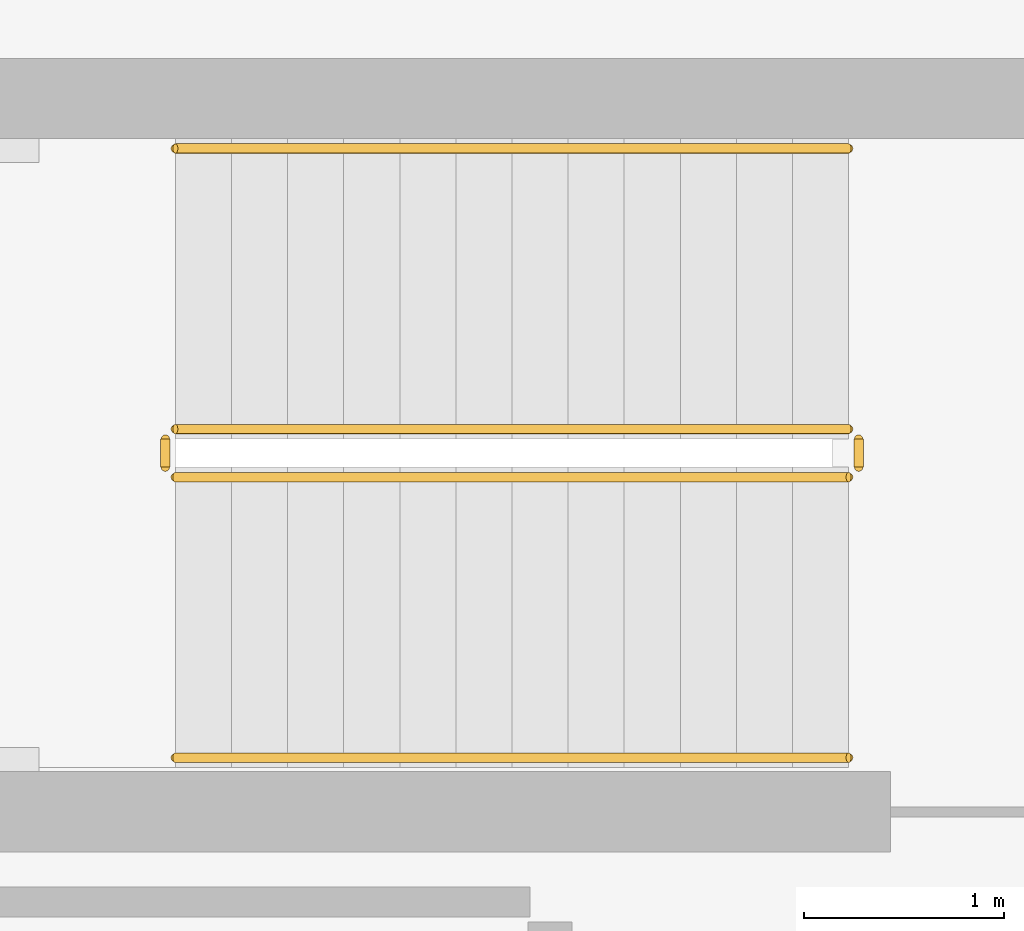
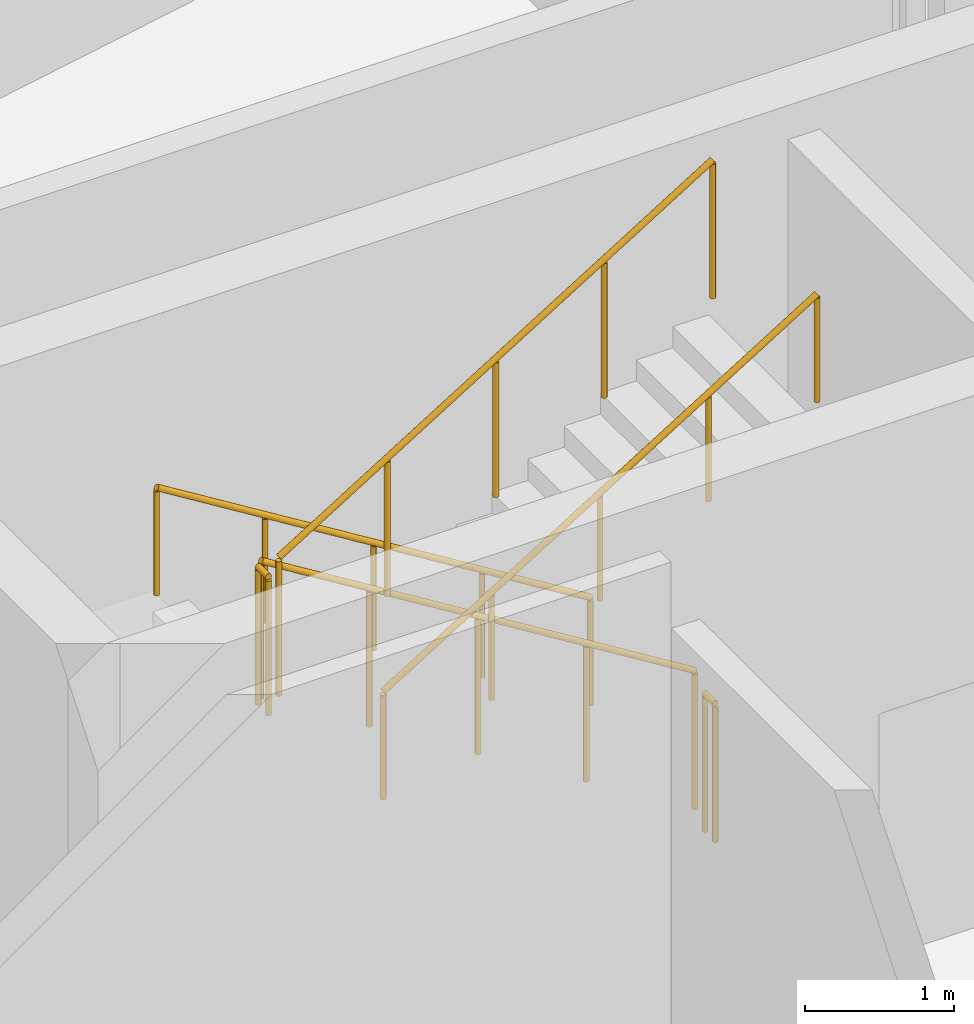
# One storey, part 22 of 24: 6 railings.
"""IFC4 building model written with IfcOpenShell, lengths in metres."""

from ifc_helpers import new_model, si_unit, derived_unit, direction, frame, origin, origin_2d, place, context, subcontext, project, spatial, circle, extrude, material, type_object, element, save


model = new_model("IFC4")

# Units and contexts
model_context = context("Model", 3, precision=1e-05, world=origin(), true_north=direction((0.0, 1.0)))
body_context = subcontext(model_context, "Body", "Model", "MODEL_VIEW")
ifc_project = project(units=[si_unit("LENGTHUNIT", "METRE"), si_unit("AREAUNIT", "SQUARE_METRE"), si_unit("VOLUMEUNIT", "CUBIC_METRE"), si_unit("PLANEANGLEUNIT", "RADIAN"), si_unit("MASSUNIT", "GRAM", prefix="KILO"), derived_unit("THERMALTRANSMITTANCEUNIT", [(si_unit("POWERUNIT", "WATT"), 1), (si_unit("LENGTHUNIT", "METRE"), -2), (si_unit("THERMODYNAMICTEMPERATUREUNIT", "KELVIN"), -1)])], contexts=[model_context])

# Site, building, storey
site_placement = place(None, origin())
site = spatial("IfcSite", under=ifc_project, at=site_placement, CompositionType="ELEMENT")
building_placement = place(site_placement, origin())
building = spatial("IfcBuilding", under=site, at=building_placement, Name="Kivonza Crest Hotel", CompositionType="ELEMENT")
storey_placement = place(building_placement, frame((0.0, 0.0, 119.5)))
storey = spatial("IfcBuildingStorey", under=building, at=storey_placement, Name="L32", CompositionType="ELEMENT", Elevation=119.5)

# Railings
ifc_material_1 = material(Name="Brushed stainless steel handrail", Category="steel")
railing_type_1 = type_object("IfcRailingType", Name="RL-HAND-900", PredefinedType="HANDRAIL", material=ifc_material_1)
railing_1_placement = place(storey_placement, frame((12.239990234375, 36.110107421875, 0.173095703125)))
element("IfcRailing", 1, at=railing_1_placement, inside=storey, type_object=railing_type_1, Name="L32 ST-T1-N stair handrail 1", PredefinedType="HANDRAIL", context=body_context, shape_type="SweptSolid", body=[
    extrude(circle(Radius=0.02392578125, at=origin_2d()), frame((0.0, 0.0, 0.8759765625), z_axis=(-0.850623216509, 0.0, 0.525775754039), x_axis=(0.0, -1.0, 0.0)), (0.0, 0.0, 1.0), 3.9501953125),
    extrude(circle(Radius=0.02099609375, at=origin_2d()), origin(), (0.0, 0.0, 1.0), 0.851806640625),
    extrude(circle(Radius=0.02099609375, at=origin_2d()), frame((-0.840087890625, 0.0, 0.519287109375)), (0.0, 0.0, 1.0), 0.851806640625),
    extrude(circle(Radius=0.02099609375, at=origin_2d()), frame((-1.68017578125, 0.0, 1.03857421875)), (0.0, 0.0, 1.0), 0.851806640625),
    extrude(circle(Radius=0.02099609375, at=origin_2d()), frame((-2.52001953125, 0.0, 1.5576171875)), (0.0, 0.0, 1.0), 0.851806640625),
    extrude(circle(Radius=0.02099609375, at=origin_2d()), frame((-3.360107421875, 0.0, 2.076904296875)), (0.0, 0.0, 1.0), 0.851806640625),
])
railing_2_placement = place(storey_placement, frame((8.8798828125, 33.070068359375, 2.423095703125)))
element("IfcRailing", 2, at=railing_2_placement, inside=storey, type_object=railing_type_1, Name="L32 ST-T1-N stair handrail 2", PredefinedType="HANDRAIL", context=body_context, shape_type="SweptSolid", body=[
    extrude(circle(Radius=0.02392578125, at=origin_2d()), frame((0.0, 0.0, 0.8759765625), z_axis=(0.850623216509, 0.0, 0.525775754039), x_axis=(0.0, 1.0, 0.0)), (0.0, 0.0, 1.0), 3.9501953125),
    extrude(circle(Radius=0.02099609375, at=origin_2d()), origin(), (0.0, 0.0, 1.0), 0.851806640625),
    extrude(circle(Radius=0.02099609375, at=origin_2d()), frame((0.840087890625, 0.0, 0.519287109375)), (0.0, 0.0, 1.0), 0.851806640625),
    extrude(circle(Radius=0.02099609375, at=origin_2d()), frame((1.68017578125, 0.0, 1.03857421875)), (0.0, 0.0, 1.0), 0.851806640625),
    extrude(circle(Radius=0.02099609375, at=origin_2d()), frame((2.52001953125, 0.0, 1.5576171875)), (0.0, 0.0, 1.0), 0.851806640625),
    extrude(circle(Radius=0.02099609375, at=origin_2d()), frame((3.360107421875, 0.0, 2.076904296875)), (0.0, 0.0, 1.0), 0.851806640625),
])
ifc_material_2 = material(Name="Painted steel balustrade", Category="steel")
railing_type_2 = type_object("IfcRailingType", Name="RL-STAIR-1150", PredefinedType="BALUSTRADE", material=ifc_material_2)
railing_3_placement = place(storey_placement, frame((12.239990234375, 34.7099609375, 0.173095703125)))
element("IfcRailing", 3, at=railing_3_placement, inside=storey, type_object=railing_type_2, Name="L32 ST-T1-N stair guard 1", PredefinedType="BALUSTRADE", context=body_context, shape_type="SweptSolid", body=[
    extrude(circle(Radius=0.02392578125, at=origin_2d()), frame((0.0, 0.0, 1.1259765625), z_axis=(-0.850623216509, 0.0, 0.525775754039), x_axis=(0.0, -1.0, 0.0)), (0.0, 0.0, 1.0), 3.9501953125),
    extrude(circle(Radius=0.02099609375, at=origin_2d()), origin(), (0.0, 0.0, 1.0), 1.101806640625),
    extrude(circle(Radius=0.02099609375, at=origin_2d()), frame((-0.840087890625, 0.0, 0.519287109375)), (0.0, 0.0, 1.0), 1.101806640625),
    extrude(circle(Radius=0.02099609375, at=origin_2d()), frame((-1.68017578125, 0.0, 1.03857421875)), (0.0, 0.0, 1.0), 1.101806640625),
    extrude(circle(Radius=0.02099609375, at=origin_2d()), frame((-2.52001953125, 0.0, 1.5576171875)), (0.0, 0.0, 1.0), 1.101806640625),
    extrude(circle(Radius=0.02099609375, at=origin_2d()), frame((-3.360107421875, 0.0, 2.076904296875)), (0.0, 0.0, 1.0), 1.101806640625),
])
railing_4_placement = place(storey_placement, frame((8.830078125, 34.659912109375, 2.25)))
element("IfcRailing", 4, at=railing_4_placement, inside=storey, type_object=railing_type_2, Name="L32 ST-T1-N stair guard 2", PredefinedType="BALUSTRADE", context=body_context, shape_type="SweptSolid", body=[
    extrude(circle(Radius=0.02392578125, at=origin_2d()), frame((0.0, 0.0, 1.1259765625), z_axis=(0.0, -1.0, 0.0), x_axis=(1.0, 0.0, 0.0)), (0.0, 0.0, 1.0), 0.139892578125),
    extrude(circle(Radius=0.02099609375, at=origin_2d()), origin(), (0.0, 0.0, 1.0), 1.101806640625),
    extrude(circle(Radius=0.02099609375, at=origin_2d()), frame((0.0, -0.139892578125, 0.0)), (0.0, 0.0, 1.0), 1.101806640625),
])
railing_5_placement = place(storey_placement, frame((8.8798828125, 34.469970703125, 2.423095703125)))
element("IfcRailing", 5, at=railing_5_placement, inside=storey, type_object=railing_type_2, Name="L32 ST-T1-N stair guard 3", PredefinedType="BALUSTRADE", context=body_context, shape_type="SweptSolid", body=[
    extrude(circle(Radius=0.02392578125, at=origin_2d()), frame((0.0, 0.0, 1.1259765625), z_axis=(0.850623216509, 0.0, 0.525775754039), x_axis=(0.0, 1.0, 0.0)), (0.0, 0.0, 1.0), 3.9501953125),
    extrude(circle(Radius=0.02099609375, at=origin_2d()), origin(), (0.0, 0.0, 1.0), 1.101806640625),
    extrude(circle(Radius=0.02099609375, at=origin_2d()), frame((0.840087890625, 0.0, 0.519287109375)), (0.0, 0.0, 1.0), 1.101806640625),
    extrude(circle(Radius=0.02099609375, at=origin_2d()), frame((1.68017578125, 0.0, 1.03857421875)), (0.0, 0.0, 1.0), 1.101806640625),
    extrude(circle(Radius=0.02099609375, at=origin_2d()), frame((2.52001953125, 0.0, 1.5576171875)), (0.0, 0.0, 1.0), 1.101806640625),
    extrude(circle(Radius=0.02099609375, at=origin_2d()), frame((3.360107421875, 0.0, 2.076904296875)), (0.0, 0.0, 1.0), 1.101806640625),
])
railing_6_placement = place(storey_placement, frame((12.2900390625, 34.659912109375, 0.0)))
element("IfcRailing", 6, at=railing_6_placement, inside=storey, type_object=railing_type_2, Name="L32 ST-T1-N stair guard 4", PredefinedType="BALUSTRADE", context=body_context, shape_type="SweptSolid", body=[
    extrude(circle(Radius=0.02392578125, at=origin_2d()), frame((0.0, 0.0, 1.1259765625), z_axis=(0.0, -1.0, 0.0), x_axis=(1.0, 0.0, 0.0)), (0.0, 0.0, 1.0), 0.139892578125),
    extrude(circle(Radius=0.02099609375, at=origin_2d()), origin(), (0.0, 0.0, 1.0), 1.101806640625),
    extrude(circle(Radius=0.02099609375, at=origin_2d()), frame((0.0, -0.139892578125, 0.0)), (0.0, 0.0, 1.0), 1.101806640625),
])

save(model, "model.ifc")
